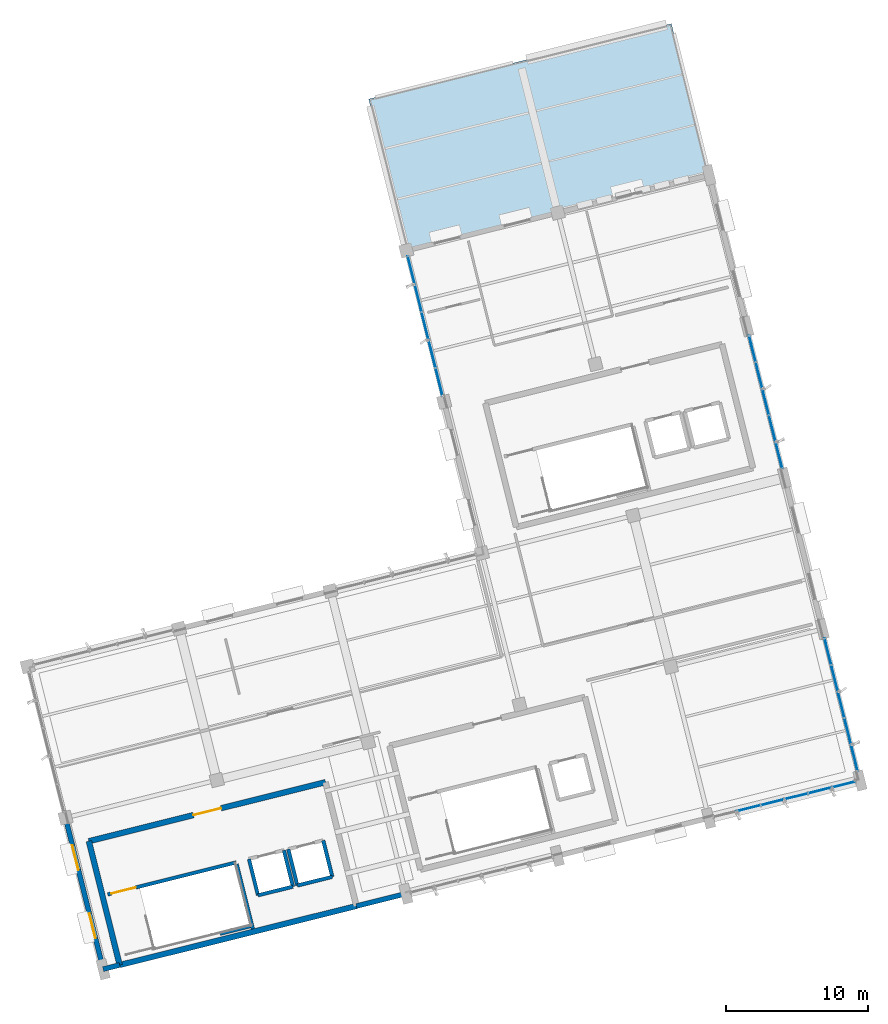
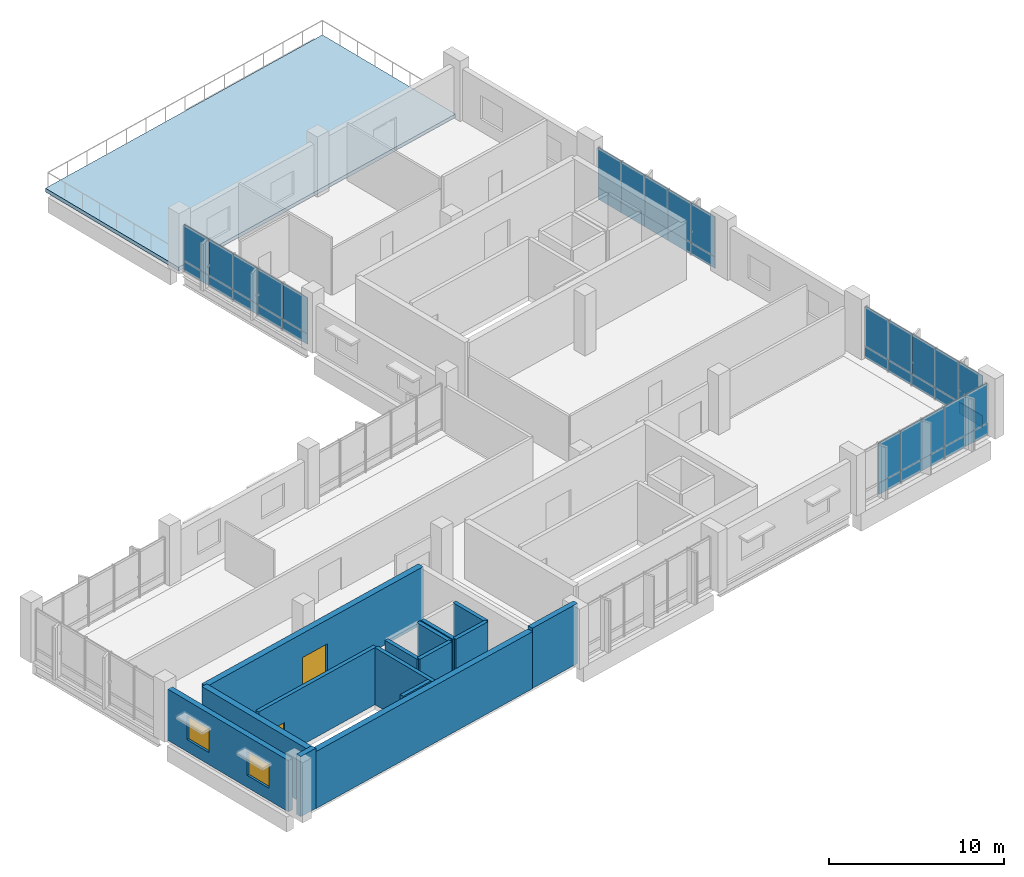
# One storey, part 18 of 22: 40 plates, 15 walls, 2 doors, 2 windows, 1 slab, 4 openings, 4 elements without a shape of their own.
"""IFC4 building model written with IfcOpenShell, lengths in metres."""

from ifc_helpers import new_model, si_unit, direction, frame, frame_2d, origin, origin_2d, place, context, subcontext, project, spatial, polyline, rectangle, outline, extrude, material, layer, layer_set, type_object, element, fill, aggregate, save


model = new_model("IFC4")

# Units and contexts
model_context = context("Model", 3, precision=1e-05, world=origin(), true_north=direction((0.0, 1.0)))
body_context = subcontext(model_context, "Body", "Model", "MODEL_VIEW")
ifc_project = project(units=[si_unit("LENGTHUNIT", "METRE"), si_unit("AREAUNIT", "SQUARE_METRE"), si_unit("VOLUMEUNIT", "CUBIC_METRE"), si_unit("PLANEANGLEUNIT", "RADIAN"), si_unit("MASSUNIT", "GRAM", prefix="KILO")], contexts=[model_context])

# Site, building, storey
site_placement = place(None, origin())
site = spatial("IfcSite", under=ifc_project, at=site_placement, CompositionType="ELEMENT")
building_placement = place(site_placement, origin())
building = spatial("IfcBuilding", under=site, at=building_placement, Name="Khorjan Park Terminus", CompositionType="ELEMENT")
storey_placement = place(building_placement, frame((0.0, 0.0, 24.6)))
storey = spatial("IfcBuildingStorey", under=building, at=storey_placement, Name="L05", CompositionType="ELEMENT", Elevation=24.6)

# Curtain wall, plates
ifc_material_1 = material(Name="Anodized Bronze Aluminium", Category="aluminium")
ifc_layer_1 = layer(ifc_material_1, 0.22)
ifc_layer_set_1 = layer_set([ifc_layer_1], Name="Anodized Bronze Aluminium")
curtain_wall_type = type_object("IfcCurtainWallType", Name="CW-OPS-B", PredefinedType="NOTDEFINED", material=ifc_layer_set_1)
curtain_wall_1_placement = place(storey_placement, origin())
curtain_wall_1 = element("IfcCurtainWall", 1, at=curtain_wall_1_placement, inside=storey, type_object=curtain_wall_type, Name="Unitized curtain wall CW-B (CW-V5-E-L05-B03)", PredefinedType="NOTDEFINED")
ifc_material_2 = material(Name="Low-E Solar Control Double Glazing", Category="glass")
ifc_layer_2 = layer(ifc_material_2, 0.032)
ifc_layer_set_2 = layer_set([ifc_layer_2], Name="Low-E Solar Control Double Glazing")
plate_type_1 = type_object("IfcPlateType", Name="GL-VIS-32", PredefinedType="CURTAIN_PANEL", material=ifc_layer_set_2)
plate_1_placement = place(storey_placement, frame((224.3195, 40.9083, 0.786), z_axis=(0.0, 0.0, 1.0), x_axis=(-0.241922975976, 0.970295456907, 0.0)))
plate_1 = element("IfcPlate", 2, at=plate_1_placement, type_object=plate_type_1, Name="Curtain-wall panel VP-32 (CW-V5-E-L05-B03-0-2)", PredefinedType="CURTAIN_PANEL", context=body_context, shape_type="SweptSolid", body=[
    extrude(rectangle(XDim=1.9281, YDim=0.032, at=origin_2d()), origin(), (0.0, 0.0, 1.0), 2.799),
])
plate_2_placement = place(storey_placement, frame((223.8531, 42.7792, 0.786), z_axis=(0.0, 0.0, 1.0), x_axis=(-0.241922975976, 0.970295456907, 0.0)))
plate_2 = element("IfcPlate", 3, at=plate_2_placement, type_object=plate_type_1, Name="Curtain-wall panel VP-32 (CW-V5-E-L05-B03-1-2)", PredefinedType="CURTAIN_PANEL", context=body_context, shape_type="SweptSolid", body=[
    extrude(rectangle(XDim=1.9281, YDim=0.032, at=origin_2d()), origin(), (0.0, 0.0, 1.0), 2.799),
])
plate_3_placement = place(storey_placement, frame((223.3867, 44.6501, 0.786), z_axis=(0.0, 0.0, 1.0), x_axis=(-0.241922975976, 0.970295456907, 0.0)))
plate_3 = element("IfcPlate", 4, at=plate_3_placement, type_object=plate_type_1, Name="Curtain-wall panel VP-32 (CW-V5-E-L05-B03-2-2)", PredefinedType="CURTAIN_PANEL", context=body_context, shape_type="SweptSolid", body=[
    extrude(rectangle(XDim=1.9281, YDim=0.032, at=origin_2d()), origin(), (0.0, 0.0, 1.0), 2.799),
])
plate_4_placement = place(storey_placement, frame((222.9202, 46.5209, 0.786), z_axis=(0.0, 0.0, 1.0), x_axis=(-0.241922975976, 0.970295456907, 0.0)))
plate_4 = element("IfcPlate", 5, at=plate_4_placement, type_object=plate_type_1, Name="Curtain-wall panel VP-32 (CW-V5-E-L05-B03-3-2)", PredefinedType="CURTAIN_PANEL", context=body_context, shape_type="SweptSolid", body=[
    extrude(rectangle(XDim=1.9281, YDim=0.032, at=origin_2d()), origin(), (0.0, 0.0, 1.0), 2.799),
])
plate_5_placement = place(storey_placement, frame((222.4538, 48.3918, 0.786), z_axis=(0.0, 0.0, 1.0), x_axis=(-0.241922975976, 0.970295456907, 0.0)))
plate_5 = element("IfcPlate", 6, at=plate_5_placement, type_object=plate_type_1, Name="Curtain-wall panel VP-32 (CW-V5-E-L05-B03-4-2)", PredefinedType="CURTAIN_PANEL", context=body_context, shape_type="SweptSolid", body=[
    extrude(rectangle(XDim=1.9281, YDim=0.032, at=origin_2d()), origin(), (0.0, 0.0, 1.0), 2.799),
])

curtain_wall_2_placement = place(storey_placement, origin())
curtain_wall_2 = element("IfcCurtainWall", 7, at=curtain_wall_2_placement, inside=storey, type_object=curtain_wall_type, Name="Unitized curtain wall CW-B (CW-V5-S-L05-B05)", PredefinedType="NOTDEFINED")
ifc_material_3 = material(Name="Acoustic Laminated Solar Glazing", Category="glass")
ifc_layer_3 = layer(ifc_material_3, 0.036)
ifc_layer_set_3 = layer_set([ifc_layer_3], Name="Acoustic Laminated Solar Glazing")
plate_type_2 = type_object("IfcPlateType", Name="GL-VIS-36", PredefinedType="CURTAIN_PANEL", material=ifc_layer_set_3)
plate_6_placement = place(storey_placement, frame((222.1946, 16.0109, 0.786), z_axis=(0.0, 0.0, 1.0), x_axis=(0.970296464407, 0.241918935098, 0.0)))
plate_6 = element("IfcPlate", 8, at=plate_6_placement, type_object=plate_type_2, Name="Curtain-wall panel VP-36 (CW-V5-S-L05-B05-1-2)", PredefinedType="CURTAIN_PANEL", context=body_context, shape_type="SweptSolid", body=[
    extrude(rectangle(XDim=1.7234, YDim=0.036, at=origin_2d()), origin(), (0.0, 0.0, 1.0), 2.799),
])
plate_7_placement = place(storey_placement, frame((223.8669, 16.4278, 0.786), z_axis=(0.0, 0.0, 1.0), x_axis=(0.970296464407, 0.241918935098, 0.0)))
plate_7 = element("IfcPlate", 9, at=plate_7_placement, type_object=plate_type_2, Name="Curtain-wall panel VP-36 (CW-V5-S-L05-B05-2-2)", PredefinedType="CURTAIN_PANEL", context=body_context, shape_type="SweptSolid", body=[
    extrude(rectangle(XDim=1.7234, YDim=0.036, at=origin_2d()), origin(), (0.0, 0.0, 1.0), 2.799),
])
plate_8_placement = place(storey_placement, frame((225.5392, 16.8447, 0.786), z_axis=(0.0, 0.0, 1.0), x_axis=(0.970296464407, 0.241918935098, 0.0)))
plate_8 = element("IfcPlate", 10, at=plate_8_placement, type_object=plate_type_2, Name="Curtain-wall panel VP-36 (CW-V5-S-L05-B05-3-2)", PredefinedType="CURTAIN_PANEL", context=body_context, shape_type="SweptSolid", body=[
    extrude(rectangle(XDim=1.7234, YDim=0.036, at=origin_2d()), origin(), (0.0, 0.0, 1.0), 2.799),
])
plate_9_placement = place(storey_placement, frame((227.2115, 17.2617, 0.786), z_axis=(0.0, 0.0, 1.0), x_axis=(0.970296464407, 0.241918935098, 0.0)))
plate_9 = element("IfcPlate", 11, at=plate_9_placement, type_object=plate_type_2, Name="Curtain-wall panel VP-36 (CW-V5-S-L05-B05-4-2)", PredefinedType="CURTAIN_PANEL", context=body_context, shape_type="SweptSolid", body=[
    extrude(rectangle(XDim=1.7234, YDim=0.036, at=origin_2d()), origin(), (0.0, 0.0, 1.0), 2.799),
])
plate_10_placement = place(storey_placement, frame((228.8837, 17.6786, 0.786), z_axis=(0.0, 0.0, 1.0), x_axis=(0.970296464407, 0.241918935098, 0.0)))
plate_10 = element("IfcPlate", 12, at=plate_10_placement, type_object=plate_type_2, Name="Curtain-wall panel VP-36 (CW-V5-S-L05-B05-5-2)", PredefinedType="CURTAIN_PANEL", context=body_context, shape_type="SweptSolid", body=[
    extrude(rectangle(XDim=1.7234, YDim=0.036, at=origin_2d()), origin(), (0.0, 0.0, 1.0), 2.799),
])

curtain_wall_3_placement = place(storey_placement, origin())
curtain_wall_3 = element("IfcCurtainWall", 13, at=curtain_wall_3_placement, inside=storey, type_object=curtain_wall_type, Name="Unitized curtain wall CW-B (CW-V5-E-L05-B01)", PredefinedType="NOTDEFINED")
plate_11_placement = place(storey_placement, frame((229.6418, 19.562, 0.786), z_axis=(0.0, 0.0, 1.0), x_axis=(-0.241920488516, 0.9702960771, 0.0)))
plate_11 = element("IfcPlate", 14, at=plate_11_placement, type_object=plate_type_2, Name="Curtain-wall panel VP-36 (CW-V5-E-L05-B01-0-2)", PredefinedType="CURTAIN_PANEL", context=body_context, shape_type="SweptSolid", body=[
    extrude(rectangle(XDim=1.928, YDim=0.036, at=origin_2d()), origin(), (0.0, 0.0, 1.0), 2.799),
])
plate_12_placement = place(storey_placement, frame((229.1754, 21.4327, 0.786), z_axis=(0.0, 0.0, 1.0), x_axis=(-0.241920488516, 0.9702960771, 0.0)))
plate_12 = element("IfcPlate", 15, at=plate_12_placement, type_object=plate_type_2, Name="Curtain-wall panel VP-36 (CW-V5-E-L05-B01-1-2)", PredefinedType="CURTAIN_PANEL", context=body_context, shape_type="SweptSolid", body=[
    extrude(rectangle(XDim=1.928, YDim=0.036, at=origin_2d()), origin(), (0.0, 0.0, 1.0), 2.799),
])
plate_13_placement = place(storey_placement, frame((228.709, 23.3035, 0.786), z_axis=(0.0, 0.0, 1.0), x_axis=(-0.241920488516, 0.9702960771, 0.0)))
plate_13 = element("IfcPlate", 16, at=plate_13_placement, type_object=plate_type_2, Name="Curtain-wall panel VP-36 (CW-V5-E-L05-B01-2-2)", PredefinedType="CURTAIN_PANEL", context=body_context, shape_type="SweptSolid", body=[
    extrude(rectangle(XDim=1.928, YDim=0.036, at=origin_2d()), origin(), (0.0, 0.0, 1.0), 2.799),
])
plate_14_placement = place(storey_placement, frame((228.2425, 25.1743, 0.786), z_axis=(0.0, 0.0, 1.0), x_axis=(-0.241920488516, 0.9702960771, 0.0)))
plate_14 = element("IfcPlate", 17, at=plate_14_placement, type_object=plate_type_2, Name="Curtain-wall panel VP-36 (CW-V5-E-L05-B01-3-2)", PredefinedType="CURTAIN_PANEL", context=body_context, shape_type="SweptSolid", body=[
    extrude(rectangle(XDim=1.928, YDim=0.036, at=origin_2d()), origin(), (0.0, 0.0, 1.0), 2.799),
])
plate_15_placement = place(storey_placement, frame((227.7761, 27.045, 0.786), z_axis=(0.0, 0.0, 1.0), x_axis=(-0.241920488516, 0.9702960771, 0.0)))
plate_15 = element("IfcPlate", 18, at=plate_15_placement, type_object=plate_type_2, Name="Curtain-wall panel VP-36 (CW-V5-E-L05-B01-4-2)", PredefinedType="CURTAIN_PANEL", context=body_context, shape_type="SweptSolid", body=[
    extrude(rectangle(XDim=1.928, YDim=0.036, at=origin_2d()), origin(), (0.0, 0.0, 1.0), 2.799),
])

curtain_wall_4_placement = place(storey_placement, origin())
curtain_wall_4 = element("IfcCurtainWall", 19, at=curtain_wall_4_placement, inside=storey, type_object=curtain_wall_type, Name="Unitized curtain wall CW-B (CW-V5-NW1-L05-B01)", PredefinedType="NOTDEFINED")
plate_16_placement = place(storey_placement, frame((198.3976, 53.9368, 0.709), z_axis=(0.0, 0.0, 1.0), x_axis=(0.24193231064, -0.970293129455, 0.0)))
plate_16 = element("IfcPlate", 20, at=plate_16_placement, type_object=plate_type_2, Name="Curtain-wall panel VP-36 (CW-V5-NW1-L05-B01-0-2)", PredefinedType="CURTAIN_PANEL", context=body_context, shape_type="SweptSolid", body=[
    extrude(rectangle(XDim=2.0282, YDim=0.036, at=origin_2d()), origin(), (0.0, 0.0, 1.0), 2.526),
])
plate_17_placement = place(storey_placement, frame((198.8884, 51.9689, 0.709), z_axis=(0.0, 0.0, 1.0), x_axis=(0.24193231064, -0.970293129455, 0.0)))
plate_17 = element("IfcPlate", 21, at=plate_17_placement, type_object=plate_type_2, Name="Curtain-wall panel VP-36 (CW-V5-NW1-L05-B01-1-2)", PredefinedType="CURTAIN_PANEL", context=body_context, shape_type="SweptSolid", body=[
    extrude(rectangle(XDim=2.0282, YDim=0.036, at=origin_2d()), origin(), (0.0, 0.0, 1.0), 2.526),
])
plate_18_placement = place(storey_placement, frame((199.379, 50.001, 0.709), z_axis=(0.0, 0.0, 1.0), x_axis=(0.24193231064, -0.970293129455, 0.0)))
plate_18 = element("IfcPlate", 22, at=plate_18_placement, type_object=plate_type_2, Name="Curtain-wall panel VP-36 (CW-V5-NW1-L05-B01-2-2)", PredefinedType="CURTAIN_PANEL", context=body_context, shape_type="SweptSolid", body=[
    extrude(rectangle(XDim=2.0282, YDim=0.036, at=origin_2d()), origin(), (0.0, 0.0, 1.0), 2.526),
])
plate_19_placement = place(storey_placement, frame((199.8697, 48.0331, 0.709), z_axis=(0.0, 0.0, 1.0), x_axis=(0.24193231064, -0.970293129455, 0.0)))
plate_19 = element("IfcPlate", 23, at=plate_19_placement, type_object=plate_type_2, Name="Curtain-wall panel VP-36 (CW-V5-NW1-L05-B01-3-2)", PredefinedType="CURTAIN_PANEL", context=body_context, shape_type="SweptSolid", body=[
    extrude(rectangle(XDim=2.0282, YDim=0.036, at=origin_2d()), origin(), (0.0, 0.0, 1.0), 2.526),
])
plate_20_placement = place(storey_placement, frame((200.3604, 46.0652, 0.709), z_axis=(0.0, 0.0, 1.0), x_axis=(0.24193231064, -0.970293129455, 0.0)))
plate_20 = element("IfcPlate", 24, at=plate_20_placement, type_object=plate_type_2, Name="Curtain-wall panel VP-36 (CW-V5-NW1-L05-B01-4-2)", PredefinedType="CURTAIN_PANEL", context=body_context, shape_type="SweptSolid", body=[
    extrude(rectangle(XDim=2.0282, YDim=0.036, at=origin_2d()), origin(), (0.0, 0.0, 1.0), 2.526),
])

# Slab
ifc_material_4 = material(Name="Concrete C40/50", Category="concrete")
ifc_layer_4 = layer(ifc_material_4, 0.26)
ifc_layer_set_4 = layer_set([ifc_layer_4], Name="Concrete C40/50")
slab_type = type_object("IfcSlabType", Name="SL-TER-260", PredefinedType="ROOF", material=ifc_layer_set_4)
slab_placement = place(storey_placement, frame((0.0, 0.0, -0.26)))
element("IfcSlab", 25, at=slab_placement, inside=storey, type_object=slab_type, Name="External terrace slab TS-26 (L05-TER-NE)", PredefinedType="ROOF", context=body_context, shape_type="SweptSolid", body=[
    extrude(outline(polyline([(198.0388, 55.3764), (219.3853, 60.6987), (216.7338, 71.3331), (195.3873, 66.0108), (198.0388, 55.3764)])), origin(), (0.0, 0.0, 1.0), 0.26),
])

# Plate
ifc_material_5 = material(Name="Insulated Bronze-Composite Spandrel Panel")
ifc_layer_5 = layer(ifc_material_5, 0.055)
ifc_layer_set_5 = layer_set([ifc_layer_5], Name="Insulated Bronze-Composite Spandrel Panel")
plate_type_3 = type_object("IfcPlateType", Name="SP-AL-55", PredefinedType="CURTAIN_PANEL", material=ifc_layer_set_5)
plate_21_placement = place(storey_placement, frame((222.1946, 16.0109, -0.01), z_axis=(0.0, 0.0, 1.0), x_axis=(0.970296464407, 0.241918935098, 0.0)))
plate_21 = element("IfcPlate", 26, at=plate_21_placement, type_object=plate_type_3, Name="Curtain-wall panel SP-A55 (CW-V5-S-L05-B05-1-1)", PredefinedType="CURTAIN_PANEL", context=body_context, shape_type="SweptSolid", body=[
    extrude(rectangle(XDim=1.7234, YDim=0.055, at=origin_2d()), origin(), (0.0, 0.0, 1.0), 0.796),
])

plate_22_placement = place(storey_placement, frame((223.8669, 16.4278, -0.01), z_axis=(0.0, 0.0, 1.0), x_axis=(0.970296464407, 0.241918935098, 0.0)))
plate_22 = element("IfcPlate", 27, at=plate_22_placement, type_object=plate_type_3, Name="Curtain-wall panel SP-A55 (CW-V5-S-L05-B05-2-1)", PredefinedType="CURTAIN_PANEL", context=body_context, shape_type="SweptSolid", body=[
    extrude(rectangle(XDim=1.7234, YDim=0.055, at=origin_2d()), origin(), (0.0, 0.0, 1.0), 0.796),
])

plate_23_placement = place(storey_placement, frame((225.5392, 16.8447, -0.01), z_axis=(0.0, 0.0, 1.0), x_axis=(0.970296464407, 0.241918935098, 0.0)))
plate_23 = element("IfcPlate", 28, at=plate_23_placement, type_object=plate_type_3, Name="Curtain-wall panel SP-A55 (CW-V5-S-L05-B05-3-1)", PredefinedType="CURTAIN_PANEL", context=body_context, shape_type="SweptSolid", body=[
    extrude(rectangle(XDim=1.7234, YDim=0.055, at=origin_2d()), origin(), (0.0, 0.0, 1.0), 0.796),
])

plate_24_placement = place(storey_placement, frame((227.2115, 17.2617, -0.01), z_axis=(0.0, 0.0, 1.0), x_axis=(0.970296464407, 0.241918935098, 0.0)))
plate_24 = element("IfcPlate", 29, at=plate_24_placement, type_object=plate_type_3, Name="Curtain-wall panel SP-A55 (CW-V5-S-L05-B05-4-1)", PredefinedType="CURTAIN_PANEL", context=body_context, shape_type="SweptSolid", body=[
    extrude(rectangle(XDim=1.7234, YDim=0.055, at=origin_2d()), origin(), (0.0, 0.0, 1.0), 0.796),
])

plate_25_placement = place(storey_placement, frame((228.8837, 17.6786, -0.01), z_axis=(0.0, 0.0, 1.0), x_axis=(0.970296464407, 0.241918935098, 0.0)))
plate_25 = element("IfcPlate", 30, at=plate_25_placement, type_object=plate_type_3, Name="Curtain-wall panel SP-A55 (CW-V5-S-L05-B05-5-1)", PredefinedType="CURTAIN_PANEL", context=body_context, shape_type="SweptSolid", body=[
    extrude(rectangle(XDim=1.7234, YDim=0.055, at=origin_2d()), origin(), (0.0, 0.0, 1.0), 0.796),
])

aggregate(curtain_wall_2, [plate_21, plate_6, plate_22, plate_7, plate_23, plate_8, plate_24, plate_9, plate_25, plate_10])

plate_26_placement = place(storey_placement, frame((229.6418, 19.562, -0.01), z_axis=(0.0, 0.0, 1.0), x_axis=(-0.241920488516, 0.9702960771, 0.0)))
plate_26 = element("IfcPlate", 31, at=plate_26_placement, type_object=plate_type_3, Name="Curtain-wall panel SP-A55 (CW-V5-E-L05-B01-0-1)", PredefinedType="CURTAIN_PANEL", context=body_context, shape_type="SweptSolid", body=[
    extrude(rectangle(XDim=1.928, YDim=0.055, at=origin_2d()), origin(), (0.0, 0.0, 1.0), 0.796),
])

plate_27_placement = place(storey_placement, frame((229.1754, 21.4327, -0.01), z_axis=(0.0, 0.0, 1.0), x_axis=(-0.241920488516, 0.9702960771, 0.0)))
plate_27 = element("IfcPlate", 32, at=plate_27_placement, type_object=plate_type_3, Name="Curtain-wall panel SP-A55 (CW-V5-E-L05-B01-1-1)", PredefinedType="CURTAIN_PANEL", context=body_context, shape_type="SweptSolid", body=[
    extrude(rectangle(XDim=1.928, YDim=0.055, at=origin_2d()), origin(), (0.0, 0.0, 1.0), 0.796),
])

plate_28_placement = place(storey_placement, frame((228.709, 23.3035, -0.01), z_axis=(0.0, 0.0, 1.0), x_axis=(-0.241920488516, 0.9702960771, 0.0)))
plate_28 = element("IfcPlate", 33, at=plate_28_placement, type_object=plate_type_3, Name="Curtain-wall panel SP-A55 (CW-V5-E-L05-B01-2-1)", PredefinedType="CURTAIN_PANEL", context=body_context, shape_type="SweptSolid", body=[
    extrude(rectangle(XDim=1.928, YDim=0.055, at=origin_2d()), origin(), (0.0, 0.0, 1.0), 0.796),
])

plate_29_placement = place(storey_placement, frame((228.2425, 25.1743, -0.01), z_axis=(0.0, 0.0, 1.0), x_axis=(-0.241920488516, 0.9702960771, 0.0)))
plate_29 = element("IfcPlate", 34, at=plate_29_placement, type_object=plate_type_3, Name="Curtain-wall panel SP-A55 (CW-V5-E-L05-B01-3-1)", PredefinedType="CURTAIN_PANEL", context=body_context, shape_type="SweptSolid", body=[
    extrude(rectangle(XDim=1.928, YDim=0.055, at=origin_2d()), origin(), (0.0, 0.0, 1.0), 0.796),
])

plate_30_placement = place(storey_placement, frame((227.7761, 27.045, -0.01), z_axis=(0.0, 0.0, 1.0), x_axis=(-0.241920488516, 0.9702960771, 0.0)))
plate_30 = element("IfcPlate", 35, at=plate_30_placement, type_object=plate_type_3, Name="Curtain-wall panel SP-A55 (CW-V5-E-L05-B01-4-1)", PredefinedType="CURTAIN_PANEL", context=body_context, shape_type="SweptSolid", body=[
    extrude(rectangle(XDim=1.928, YDim=0.055, at=origin_2d()), origin(), (0.0, 0.0, 1.0), 0.796),
])

aggregate(curtain_wall_3, [plate_26, plate_11, plate_27, plate_12, plate_28, plate_13, plate_29, plate_14, plate_30, plate_15])

plate_31_placement = place(storey_placement, frame((224.3195, 40.9083, -0.01), z_axis=(0.0, 0.0, 1.0), x_axis=(-0.241922975976, 0.970295456907, 0.0)))
plate_31 = element("IfcPlate", 36, at=plate_31_placement, type_object=plate_type_3, Name="Curtain-wall panel SP-A55 (CW-V5-E-L05-B03-0-1)", PredefinedType="CURTAIN_PANEL", context=body_context, shape_type="SweptSolid", body=[
    extrude(rectangle(XDim=1.9281, YDim=0.055, at=origin_2d()), origin(), (0.0, 0.0, 1.0), 0.796),
])

plate_32_placement = place(storey_placement, frame((223.8531, 42.7792, -0.01), z_axis=(0.0, 0.0, 1.0), x_axis=(-0.241922975976, 0.970295456907, 0.0)))
plate_32 = element("IfcPlate", 37, at=plate_32_placement, type_object=plate_type_3, Name="Curtain-wall panel SP-A55 (CW-V5-E-L05-B03-1-1)", PredefinedType="CURTAIN_PANEL", context=body_context, shape_type="SweptSolid", body=[
    extrude(rectangle(XDim=1.9281, YDim=0.055, at=origin_2d()), origin(), (0.0, 0.0, 1.0), 0.796),
])

plate_33_placement = place(storey_placement, frame((223.3867, 44.6501, -0.01), z_axis=(0.0, 0.0, 1.0), x_axis=(-0.241922975976, 0.970295456907, 0.0)))
plate_33 = element("IfcPlate", 38, at=plate_33_placement, type_object=plate_type_3, Name="Curtain-wall panel SP-A55 (CW-V5-E-L05-B03-2-1)", PredefinedType="CURTAIN_PANEL", context=body_context, shape_type="SweptSolid", body=[
    extrude(rectangle(XDim=1.9281, YDim=0.055, at=origin_2d()), origin(), (0.0, 0.0, 1.0), 0.796),
])

plate_34_placement = place(storey_placement, frame((222.9202, 46.5209, -0.01), z_axis=(0.0, 0.0, 1.0), x_axis=(-0.241922975976, 0.970295456907, 0.0)))
plate_34 = element("IfcPlate", 39, at=plate_34_placement, type_object=plate_type_3, Name="Curtain-wall panel SP-A55 (CW-V5-E-L05-B03-3-1)", PredefinedType="CURTAIN_PANEL", context=body_context, shape_type="SweptSolid", body=[
    extrude(rectangle(XDim=1.9281, YDim=0.055, at=origin_2d()), origin(), (0.0, 0.0, 1.0), 0.796),
])

plate_35_placement = place(storey_placement, frame((222.4538, 48.3918, -0.01), z_axis=(0.0, 0.0, 1.0), x_axis=(-0.241922975976, 0.970295456907, 0.0)))
plate_35 = element("IfcPlate", 40, at=plate_35_placement, type_object=plate_type_3, Name="Curtain-wall panel SP-A55 (CW-V5-E-L05-B03-4-1)", PredefinedType="CURTAIN_PANEL", context=body_context, shape_type="SweptSolid", body=[
    extrude(rectangle(XDim=1.9281, YDim=0.055, at=origin_2d()), origin(), (0.0, 0.0, 1.0), 0.796),
])

aggregate(curtain_wall_1, [plate_31, plate_1, plate_32, plate_2, plate_33, plate_3, plate_34, plate_4, plate_35, plate_5])

plate_36_placement = place(storey_placement, frame((198.3976, 53.9368, -0.01), z_axis=(0.0, 0.0, 1.0), x_axis=(0.24193231064, -0.970293129455, 0.0)))
plate_36 = element("IfcPlate", 41, at=plate_36_placement, type_object=plate_type_3, Name="Curtain-wall panel SP-A55 (CW-V5-NW1-L05-B01-0-1)", PredefinedType="CURTAIN_PANEL", context=body_context, shape_type="SweptSolid", body=[
    extrude(rectangle(XDim=2.0282, YDim=0.055, at=origin_2d()), origin(), (0.0, 0.0, 1.0), 0.719),
])

plate_37_placement = place(storey_placement, frame((198.8884, 51.9689, -0.01), z_axis=(0.0, 0.0, 1.0), x_axis=(0.24193231064, -0.970293129455, 0.0)))
plate_37 = element("IfcPlate", 42, at=plate_37_placement, type_object=plate_type_3, Name="Curtain-wall panel SP-A55 (CW-V5-NW1-L05-B01-1-1)", PredefinedType="CURTAIN_PANEL", context=body_context, shape_type="SweptSolid", body=[
    extrude(rectangle(XDim=2.0282, YDim=0.055, at=origin_2d()), origin(), (0.0, 0.0, 1.0), 0.719),
])

plate_38_placement = place(storey_placement, frame((199.379, 50.001, -0.01), z_axis=(0.0, 0.0, 1.0), x_axis=(0.24193231064, -0.970293129455, 0.0)))
plate_38 = element("IfcPlate", 43, at=plate_38_placement, type_object=plate_type_3, Name="Curtain-wall panel SP-A55 (CW-V5-NW1-L05-B01-2-1)", PredefinedType="CURTAIN_PANEL", context=body_context, shape_type="SweptSolid", body=[
    extrude(rectangle(XDim=2.0282, YDim=0.055, at=origin_2d()), origin(), (0.0, 0.0, 1.0), 0.719),
])

plate_39_placement = place(storey_placement, frame((199.8697, 48.0331, -0.01), z_axis=(0.0, 0.0, 1.0), x_axis=(0.24193231064, -0.970293129455, 0.0)))
plate_39 = element("IfcPlate", 44, at=plate_39_placement, type_object=plate_type_3, Name="Curtain-wall panel SP-A55 (CW-V5-NW1-L05-B01-3-1)", PredefinedType="CURTAIN_PANEL", context=body_context, shape_type="SweptSolid", body=[
    extrude(rectangle(XDim=2.0282, YDim=0.055, at=origin_2d()), origin(), (0.0, 0.0, 1.0), 0.719),
])

plate_40_placement = place(storey_placement, frame((200.3604, 46.0652, -0.01), z_axis=(0.0, 0.0, 1.0), x_axis=(0.24193231064, -0.970293129455, 0.0)))
plate_40 = element("IfcPlate", 45, at=plate_40_placement, type_object=plate_type_3, Name="Curtain-wall panel SP-A55 (CW-V5-NW1-L05-B01-4-1)", PredefinedType="CURTAIN_PANEL", context=body_context, shape_type="SweptSolid", body=[
    extrude(rectangle(XDim=2.0282, YDim=0.055, at=origin_2d()), origin(), (0.0, 0.0, 1.0), 0.719),
])

aggregate(curtain_wall_4, [plate_36, plate_16, plate_37, plate_17, plate_38, plate_18, plate_39, plate_19, plate_40, plate_20])

# Wall
ifc_material_6 = material(Name="Concrete C50/60", Category="concrete")
ifc_layer_6 = layer(ifc_material_6, 0.4)
ifc_layer_set_6 = layer_set([ifc_layer_6], Name="Concrete C50/60")
wall_type_1 = type_object("IfcWallType", Name="CW-40", PredefinedType="SHEAR", material=ifc_layer_set_6)
wall_1_placement = place(storey_placement, frame((177.8376, 4.9514, 0.0), z_axis=(0.0, 0.0, 1.0), x_axis=(0.970295179998, 0.241924086589, 0.0)))
element("IfcWall", 46, at=wall_1_placement, inside=storey, type_object=wall_type_1, Name="Operations West Firefighting Core concrete shear wall CW-40 (L05-E1)", PredefinedType="SHEAR", context=body_context, shape_type="SweptSolid", body=[
    extrude(rectangle(XDim=17.2, YDim=0.4, at=frame_2d((8.6, 0.0))), origin(), (0.0, 0.0, 1.0), 3.98),
])

# Wall, opening, door
wall_2_placement = place(storey_placement, frame((192.3494, 17.8451, 0.0), z_axis=(0.0, 0.0, 1.0), x_axis=(-0.970296544738, -0.241918612906, 0.0)))
wall_2 = element("IfcWall", 47, at=wall_2_placement, inside=storey, type_object=wall_type_1, Name="Operations West Firefighting Core concrete shear wall CW-40 (L05-E3)", PredefinedType="SHEAR", context=body_context, shape_type="SweptSolid", body=[
    extrude(rectangle(XDim=17.2, YDim=0.4, at=frame_2d((8.6, 0.0))), origin(), (0.0, 0.0, 1.0), 3.98),
])
opening_1_placement = place(wall_2_placement, frame((7.6, 0.0, 0.0)))
opening_1 = element("IfcOpeningElement", 48, at=opening_1_placement, cuts=wall_2, Name="Opening FD-20", PredefinedType="OPENING", context=body_context, shape_type="SweptSolid", body=[
    extrude(rectangle(XDim=2.0, YDim=2.3, at=frame_2d((1.0, 1.15))), frame((0.0, 0.21, 0.0), z_axis=(0.0, -1.0, 0.0), x_axis=(1.0, 0.0, 0.0)), (0.0, 0.0, 1.0), 0.42),
])
ifc_material_7 = material(Name="Fire-Rated Steel Double Door", Category="steel")
door_type_1 = type_object("IfcDoorType", Name="FD-20", OperationType="NOTDEFINED", PredefinedType="DOOR", material=ifc_material_7)
door_1_placement = place(opening_1_placement, origin())
door_1 = element("IfcDoor", 49, at=door_1_placement, inside=storey, type_object=door_type_1, Name="Operations West Firefighting Core fire-rated exit door FD-20 (L05)", OperationType="DOUBLE_DOOR_SINGLE_SWING", OverallHeight=2.3, OverallWidth=2.0, PredefinedType="DOOR", context=body_context, shape_type="SweptSolid", body=[
    extrude(rectangle(XDim=2.0, YDim=2.3, at=frame_2d((1.0, 1.15))), frame((0.0, 0.025, 0.0), z_axis=(0.0, -1.0, 0.0), x_axis=(1.0, 0.0, 0.0)), (0.0, 0.0, 1.0), 0.05),
])
fill(opening_1, door_1)

# Wall
wall_3_placement = place(storey_placement, frame((175.6603, 13.6841, 0.0), z_axis=(0.0, 0.0, 1.0), x_axis=(0.241921199913, -0.97029589973, 0.0)))
element("IfcWall", 50, at=wall_3_placement, inside=storey, type_object=wall_type_1, Name="Operations West Firefighting Core concrete shear wall CW-40 (L05-E4)", PredefinedType="SHEAR", context=body_context, shape_type="SweptSolid", body=[
    extrude(rectangle(XDim=9.0, YDim=0.4, at=frame_2d((4.5, 0.0))), origin(), (0.0, 0.0, 1.0), 3.98),
])

# Wall, openings, windows
ifc_material_8 = material(Name="Pigmented Precast GRC & Concrete C40/50", Category="concrete")
ifc_layer_7 = layer(ifc_material_8, 0.35)
ifc_layer_set_7 = layer_set([ifc_layer_7], Name="Pigmented Precast GRC & Concrete C40/50")
wall_type_2 = type_object("IfcWallType", Name="EW-35", PredefinedType="STANDARD", material=ifc_layer_set_7)
wall_4_placement = place(storey_placement, frame((174.1126, 14.9314, 0.0), z_axis=(0.0, 0.0, 1.0), x_axis=(0.241921235018, -0.970295890977, 0.0)))
wall_4 = element("IfcWall", 51, at=wall_4_placement, inside=storey, type_object=wall_type_2, Name="External pigmented-GRC insulated wall EW-35 (EW-V5-W-L05-B02)", PredefinedType="STANDARD", context=body_context, shape_type="SweptSolid", body=[
    extrude(rectangle(XDim=9.9198, YDim=0.35, at=frame_2d((4.9599, 0.0))), origin(), (0.0, 0.0, 1.0), 3.575),
])
opening_2_placement = place(wall_4_placement, frame((1.5799, 0.0, 0.85)))
opening_2 = element("IfcOpeningElement", 52, at=opening_2_placement, cuts=wall_4, Name="Opening WN-18", PredefinedType="OPENING", context=body_context, shape_type="SweptSolid", body=[
    extrude(rectangle(XDim=1.8, YDim=1.65, at=frame_2d((0.9, 0.825))), frame((0.0, 0.185, 0.0), z_axis=(0.0, -1.0, 0.0), x_axis=(1.0, 0.0, 0.0)), (0.0, 0.0, 1.0), 0.37),
])
opening_3_placement = place(wall_4_placement, frame((6.5398, 0.0, 0.85)))
opening_3 = element("IfcOpeningElement", 53, at=opening_3_placement, cuts=wall_4, Name="Opening WN-18", PredefinedType="OPENING", context=body_context, shape_type="SweptSolid", body=[
    extrude(rectangle(XDim=1.8, YDim=1.65, at=frame_2d((0.9, 0.825))), frame((0.0, 0.185, 0.0), z_axis=(0.0, -1.0, 0.0), x_axis=(1.0, 0.0, 0.0)), (0.0, 0.0, 1.0), 0.37),
])
ifc_material_9 = material(Name="Anodized Bronze Aluminium & Low-E Glass", Category="aluminium")
window_type = type_object("IfcWindowType", Name="WN-18", PartitioningType="SINGLE_PANEL", PredefinedType="WINDOW", material=ifc_material_9)
window_1_placement = place(opening_2_placement, origin())
window_1 = element("IfcWindow", 54, at=window_1_placement, inside=storey, type_object=window_type, Name="Solar-control exterior window WN-18 (WN-EW-V5-W-L05-B02-1)", OverallHeight=1.65, OverallWidth=1.8, PartitioningType="SINGLE_PANEL", PredefinedType="WINDOW", context=body_context, shape_type="SweptSolid", body=[
    extrude(rectangle(XDim=1.8, YDim=1.65, at=frame_2d((0.9, 0.825))), frame((0.0, 0.03, 0.0), z_axis=(0.0, -1.0, 0.0), x_axis=(1.0, 0.0, 0.0)), (0.0, 0.0, 1.0), 0.06),
])
fill(opening_2, window_1)
window_2_placement = place(opening_3_placement, origin())
window_2 = element("IfcWindow", 55, at=window_2_placement, inside=storey, type_object=window_type, Name="Solar-control exterior window WN-18 (WN-EW-V5-W-L05-B02-2)", OverallHeight=1.65, OverallWidth=1.8, PartitioningType="SINGLE_PANEL", PredefinedType="WINDOW", context=body_context, shape_type="SweptSolid", body=[
    extrude(rectangle(XDim=1.8, YDim=1.65, at=frame_2d((0.9, 0.825))), frame((0.0, 0.03, 0.0), z_axis=(0.0, -1.0, 0.0), x_axis=(1.0, 0.0, 0.0)), (0.0, 0.0, 1.0), 0.06),
])
fill(opening_3, window_2)

# Walls
wall_5_placement = place(storey_placement, frame((176.6733, 4.6611, 0.0), z_axis=(0.0, 0.0, 1.0), x_axis=(0.970294277425, 0.24192770655, 0.0)))
element("IfcWall", 56, at=wall_5_placement, inside=storey, type_object=wall_type_2, Name="External pigmented-GRC core infill wall EW-35 (EW-V5-K3P-L05-1)", PredefinedType="STANDARD", context=body_context, shape_type="SweptSolid", body=[
    extrude(rectangle(XDim=1.1999, YDim=0.35, at=frame_2d((0.5999, 0.0))), origin(), (0.0, 0.0, 1.0), 4.2),
])
wall_6_placement = place(storey_placement, frame((194.5267, 9.1125, 0.0), z_axis=(0.0, 0.0, 1.0), x_axis=(0.970297528922, 0.241914665466, 0.0)))
element("IfcWall", 57, at=wall_6_placement, inside=storey, type_object=wall_type_2, Name="External pigmented-GRC core infill wall EW-35 (EW-V5-K3P-L05-2)", PredefinedType="STANDARD", context=body_context, shape_type="SweptSolid", body=[
    extrude(rectangle(XDim=3.6, YDim=0.35, at=frame_2d((1.8, 0.0))), origin(), (0.0, 0.0, 1.0), 4.2),
])
ifc_layer_8 = layer(ifc_material_4, 0.25)
ifc_layer_set_8 = layer_set([ifc_layer_8], Name="Concrete C40/50")
wall_type_3 = type_object("IfcWallType", Name="SW-25", PredefinedType="SOLIDWALL", material=ifc_layer_set_8)
wall_7_placement = place(storey_placement, frame((187.5883, 9.8663, 0.0), z_axis=(0.0, 0.0, 1.0), x_axis=(0.97029284861, 0.241933436994, 0.0)))
element("IfcWall", 58, at=wall_7_placement, inside=storey, type_object=wall_type_3, Name="Lift L05 concrete shaft wall SW-25 (L05-1)", PredefinedType="SOLIDWALL", context=body_context, shape_type="SweptSolid", body=[
    extrude(rectangle(XDim=2.54, YDim=0.25, at=frame_2d((1.27, 0.0))), origin(), (0.0, 0.0, 1.0), 3.98),
])
for number, where, z_axis, x_axis, name in (
    (59, (190.0528, 10.4808, 0.0), (0.0, 0.0, 1.0), (-0.241938414856, 0.970291607413, 0.0), "Lift L05 concrete shaft wall SW-25 (L05-2)"),
    (60, (186.9496, 12.4278, 0.0), (0.0, 0.0, 1.0), (0.241938414856, -0.970291607413, 0.0), "Lift L05 concrete shaft wall SW-25 (L05-4)"),
):
    element("IfcWall", number, at=place(storey_placement, frame(where, z_axis=z_axis, x_axis=x_axis)), inside=storey, type_object=wall_type_3, Name=name, PredefinedType="SOLIDWALL", context=body_context, shape_type="SweptSolid", body=[
        extrude(rectangle(XDim=2.6399, YDim=0.25, at=frame_2d((1.3199, 0.0))), origin(), (0.0, 0.0, 1.0), 3.98),
    ])
wall_8_placement = place(storey_placement, frame((190.3633, 10.5582, 0.0), z_axis=(0.0, 0.0, 1.0), x_axis=(0.97029284861, 0.241933436994, 0.0)))
element("IfcWall", 61, at=wall_8_placement, inside=storey, type_object=wall_type_3, Name="Lift L06 concrete shaft wall SW-25 (L05-1)", PredefinedType="SOLIDWALL", context=body_context, shape_type="SweptSolid", body=[
    extrude(rectangle(XDim=2.54, YDim=0.25, at=frame_2d((1.27, 0.0))), origin(), (0.0, 0.0, 1.0), 3.98),
])
for number, where, z_axis, x_axis, name in (
    (62, (192.8278, 11.1727, 0.0), (0.0, 0.0, 1.0), (-0.241938414856, 0.970291607413, 0.0), "Lift L06 concrete shaft wall SW-25 (L05-2)"),
    (63, (189.7246, 13.1197, 0.0), (0.0, 0.0, 1.0), (0.241938414856, -0.970291607413, 0.0), "Lift L06 concrete shaft wall SW-25 (L05-4)"),
):
    element("IfcWall", number, at=place(storey_placement, frame(where, z_axis=z_axis, x_axis=x_axis)), inside=storey, type_object=wall_type_3, Name=name, PredefinedType="SOLIDWALL", context=body_context, shape_type="SweptSolid", body=[
        extrude(rectangle(XDim=2.6399, YDim=0.25, at=frame_2d((1.3199, 0.0))), origin(), (0.0, 0.0, 1.0), 3.98),
    ])

# Wall, opening, door
wall_9_placement = place(storey_placement, frame((176.9882, 9.9288, 0.0), z_axis=(0.0, 0.0, 1.0), x_axis=(0.970297151331, 0.241916179943, 0.0)))
wall_9 = element("IfcWall", 64, at=wall_9_placement, inside=storey, type_object=wall_type_3, Name="Operations West Firefighting Core structural stairwell wall SW-25 (L05)", PredefinedType="SOLIDWALL", context=body_context, shape_type="SweptSolid", body=[
    extrude(rectangle(XDim=9.345, YDim=0.25, at=frame_2d((4.6725, 0.0))), origin(), (0.0, 0.0, 1.0), 3.98),
])
opening_4_placement = place(wall_9_placement, frame((0.25, 0.0, 0.0)))
opening_4 = element("IfcOpeningElement", 65, at=opening_4_placement, cuts=wall_9, Name="Opening FD-18", PredefinedType="OPENING", context=body_context, shape_type="SweptSolid", body=[
    extrude(rectangle(XDim=1.8, YDim=2.25, at=frame_2d((0.9, 1.125))), frame((0.0, 0.135, 0.0), z_axis=(0.0, -1.0, 0.0), x_axis=(1.0, 0.0, 0.0)), (0.0, 0.0, 1.0), 0.27),
])
door_type_2 = type_object("IfcDoorType", Name="FD-18", OperationType="NOTDEFINED", PredefinedType="DOOR", material=ifc_material_7)
door_2_placement = place(opening_4_placement, origin())
door_2 = element("IfcDoor", 66, at=door_2_placement, inside=storey, type_object=door_type_2, Name="Operations West Firefighting Core stairwell fire door FD-18 (L05)", OperationType="DOUBLE_DOOR_SINGLE_SWING", OverallHeight=2.25, OverallWidth=1.8, PredefinedType="DOOR", context=body_context, shape_type="SweptSolid", body=[
    extrude(rectangle(XDim=1.8, YDim=2.25, at=frame_2d((0.9, 1.125))), frame((0.0, 0.025, 0.0), z_axis=(0.0, -1.0, 0.0), x_axis=(1.0, 0.0, 0.0)), (0.0, 0.0, 1.0), 0.05),
])
fill(opening_4, door_2)

# Walls
wall_10_placement = place(storey_placement, frame((187.2253, 7.4981, 0.0), z_axis=(0.0, 0.0, 1.0), x_axis=(-0.241911120435, 0.970298412763, 0.0)))
element("IfcWall", 67, at=wall_10_placement, inside=storey, type_object=wall_type_3, Name="Operations West Firefighting Core stairwell end bearing wall SW-25 (L05)", PredefinedType="SOLIDWALL", context=body_context, shape_type="SweptSolid", body=[
    extrude(rectangle(XDim=4.71, YDim=0.25, at=frame_2d((2.355, 0.0))), origin(), (0.0, 0.0, 1.0), 3.98),
])
wall_11_placement = place(storey_placement, frame((184.915, 7.154, 0.0), z_axis=(0.0, 0.0, 1.0), x_axis=(0.97029738597, 0.241915238833, 0.0)))
element("IfcWall", 68, at=wall_11_placement, inside=storey, type_object=wall_type_3, Name="Operations West Firefighting Core half-landing bearing wall SW-25 (L05)", PredefinedType="SOLIDWALL", context=body_context, shape_type="SweptSolid", body=[
    extrude(rectangle(XDim=2.1999, YDim=0.25, at=frame_2d((1.0999, 0.0))), origin(), (0.0, 0.0, 1.0), 3.98),
])

save(model, "model.ifc")
